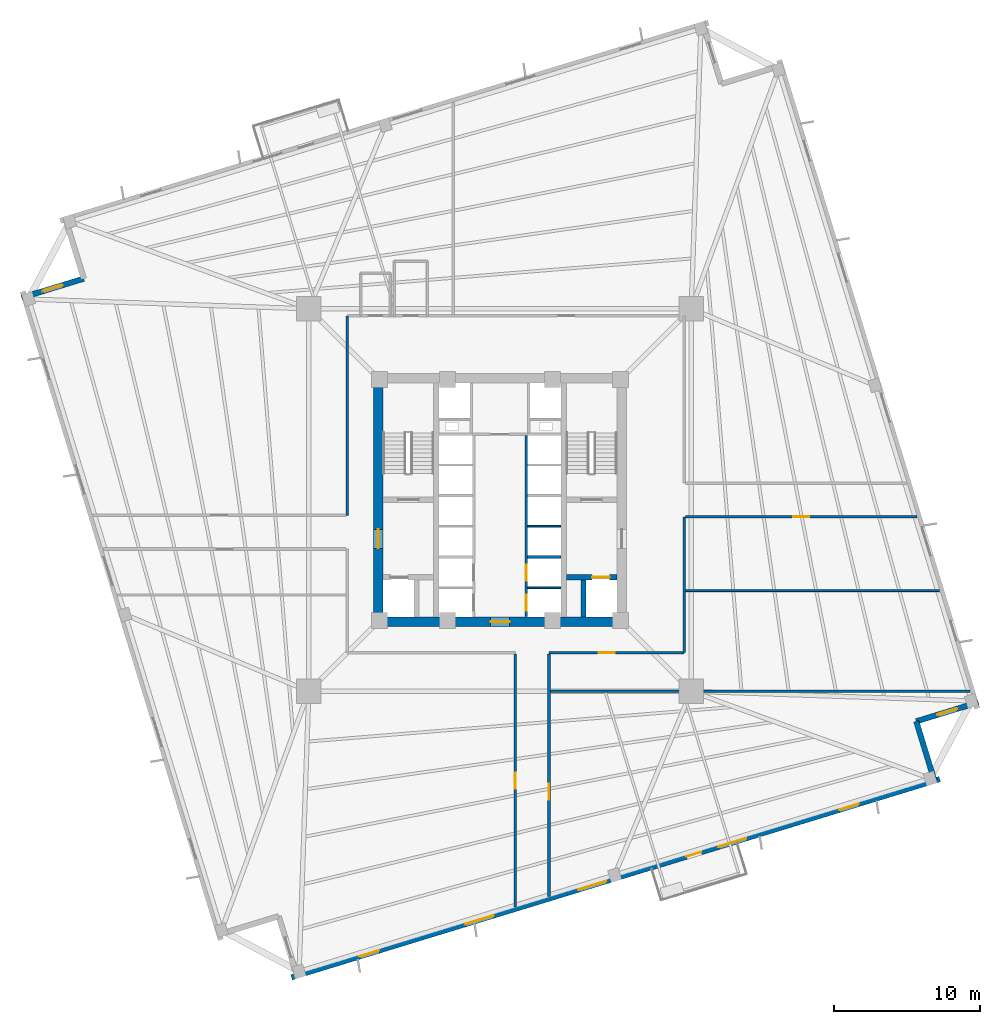
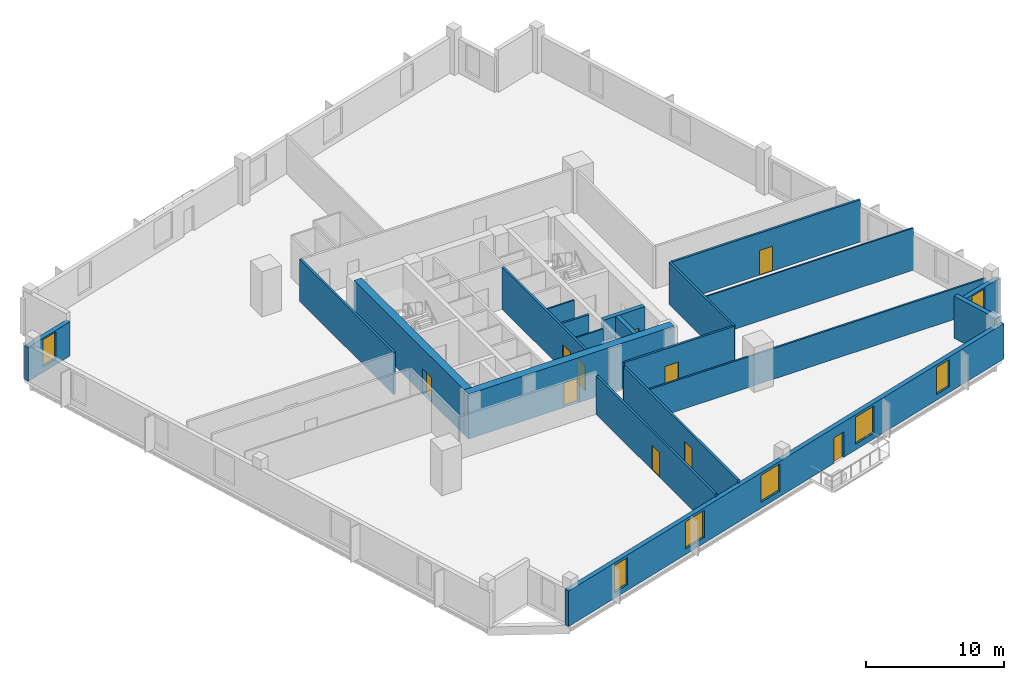
# One storey, part 3 of 8: 20 walls, 10 doors, 7 windows, 17 openings.
"""IFC4 building model written with IfcOpenShell, lengths in metres."""

from ifc_helpers import new_model, si_unit, direction, frame, frame_2d, origin, place, context, subcontext, project, spatial, rectangle, extrude, source, transform, mapped, material, layer, layer_set, type_object, element, fill, save


model = new_model("IFC4")

# Units and contexts
model_context = context("Model", 3, precision=1e-05, world=origin(), true_north=direction((0.0, 1.0)))
body_context = subcontext(model_context, "Body", "Model", "MODEL_VIEW")
ifc_project = project(units=[si_unit("LENGTHUNIT", "METRE"), si_unit("AREAUNIT", "SQUARE_METRE"), si_unit("VOLUMEUNIT", "CUBIC_METRE"), si_unit("PLANEANGLEUNIT", "RADIAN"), si_unit("MASSUNIT", "GRAM", prefix="KILO"), si_unit("THERMODYNAMICTEMPERATUREUNIT", "KELVIN")], contexts=[model_context])

# Site, building, storey
site_placement = place(None, origin())
site = spatial("IfcSite", under=ifc_project, at=site_placement, CompositionType="ELEMENT")
building_placement = place(site_placement, origin())
building = spatial("IfcBuilding", under=site, at=building_placement, Name="Kosmvard Interchange Tower", CompositionType="ELEMENT")
storey_placement = place(building_placement, frame((0.0, 0.0, 99.199951171875)))
storey = spatial("IfcBuildingStorey", under=building, at=storey_placement, Name="L23", CompositionType="ELEMENT", Elevation=99.199951171875)

# Wall
ifc_material_1 = material(Name="Acoustic gypsum partition system")
ifc_layer_1 = layer(ifc_material_1, 0.14990234375, Name="Acoustic gypsum partition system")
ifc_layer_set_1 = layer_set([ifc_layer_1], Name="Acoustic gypsum partition system")
wall_type_1 = type_object("IfcWallType", Name="Acoustic Suite & Meeting Partition 150", PredefinedType="PARTITIONING", material=ifc_layer_set_1)
wall_1_placement = place(storey_placement, frame((3.445068359375, -13.0810546875, 0.0), z_axis=(0.0, 0.0, 1.0), x_axis=(1.0, 0.0, 0.0)))
element("IfcWall", 1, at=wall_1_placement, inside=storey, type_object=wall_type_1, Name="L23 Room Partition 02.1", PredefinedType="PARTITIONING", context=body_context, shape_type="SweptSolid", body=[
    extrude(rectangle(XDim=28.719970703125, YDim=0.14990234375, at=frame_2d((14.35986328125, 0.0))), origin(), (0.0, 0.0, 1.0), 2.73193359375),
])

# Wall, openings, doors
ifc_material_2 = material(Name="Fire-rated gypsum partition system")
ifc_layer_2 = layer(ifc_material_2, 0.179931640625, Name="Fire-rated gypsum partition system")
ifc_layer_set_2 = layer_set([ifc_layer_2], Name="Fire-rated gypsum partition system")
wall_type_2 = type_object("IfcWallType", Name="Corridor & Hotel Compartment Partition 180", PredefinedType="PARTITIONING", material=ifc_layer_set_2)
wall_2_placement = place(storey_placement, frame((1.7900390625, -7.97998046875, 0.0), z_axis=(0.0, 0.0, 1.0), x_axis=(0.0, 1.0, 0.0)))
wall_2 = element("IfcWall", 2, at=wall_2_placement, inside=storey, type_object=wall_type_2, Name="L23 East Lift Bank Front Wall", PredefinedType="PARTITIONING", context=body_context, shape_type="SweptSolid", body=[
    extrude(rectangle(XDim=12.3798828125, YDim=0.179931640625, at=frame_2d((6.18994140625, 0.0))), origin(), (0.0, 0.0, 1.0), 3.739990234375),
])
opening_1_placement = place(wall_2_placement, frame((0.39990234375, 0.0, 0.0)))
opening_1 = element("IfcOpeningElement", 3, at=opening_1_placement, cuts=wall_2, Name="Opening LD-PL-L3-L23", PredefinedType="OPENING", context=body_context, shape_type="SweptSolid", body=[
    extrude(rectangle(XDim=1.10009765625, YDim=2.199951171875, at=frame_2d((0.550048828125, 1.10009765625))), frame((0.0, 0.10009765625, 0.0), z_axis=(0.0, -1.0, 0.0), x_axis=(1.0, 0.0, 0.0)), (0.0, 0.0, 1.0), 0.199951171875),
])
opening_2_placement = place(wall_2_placement, frame((2.4599609375, 0.0, 0.0)))
opening_2 = element("IfcOpeningElement", 4, at=opening_2_placement, cuts=wall_2, Name="Opening LD-PL-L4-L23", PredefinedType="OPENING", context=body_context, shape_type="SweptSolid", body=[
    extrude(rectangle(XDim=1.10009765625, YDim=2.199951171875, at=frame_2d((0.550048828125, 1.10009765625))), frame((0.0, 0.10009765625, 0.0), z_axis=(0.0, -1.0, 0.0), x_axis=(1.0, 0.0, 0.0)), (0.0, 0.0, 1.0), 0.199951171875),
])
ifc_material_3 = material(Name="Brushed stainless steel sliding leaf", Category="steel")
door_type_1 = type_object("IfcDoorType", Name="Passenger Lift Sliding Landing Door 1100x2200 EI60", OperationType="DOUBLE_DOOR_SLIDING", PredefinedType="DOOR", material=ifc_material_3)
shared_shape_1 = source(origin(), body_context, "Body", "SweptSolid", [
    extrude(rectangle(XDim=1.10009765625, YDim=2.199951171875, at=frame_2d((0.550048828125, 1.10009765625))), frame((0.0, 0.02490234375, 0.0), z_axis=(0.0, -1.0, 0.0), x_axis=(1.0, 0.0, 0.0)), (0.0, 0.0, 1.0), 0.050048828125),
])
door_1_placement = place(opening_1_placement, origin())
door_1 = element("IfcDoor", 5, at=door_1_placement, inside=storey, type_object=door_type_1, Name="Lift PL-L3 Landing Door L23", OperationType="DOUBLE_DOOR_SLIDING", OverallHeight=2.199951171875, OverallWidth=1.10009765625, PredefinedType="DOOR", context=body_context, shape_type="MappedRepresentation", body=[
    mapped(shared_shape_1, transform((0.0, 0.0, 0.0), scale=1.0)),
])
fill(opening_1, door_1)
door_2_placement = place(opening_2_placement, origin())
door_2 = element("IfcDoor", 6, at=door_2_placement, inside=storey, type_object=door_type_1, Name="Lift PL-L4 Landing Door L23", OperationType="DOUBLE_DOOR_SLIDING", OverallHeight=2.199951171875, OverallWidth=1.10009765625, PredefinedType="DOOR", context=body_context, shape_type="MappedRepresentation", body=[
    mapped(shared_shape_1, transform((0.0, 0.0, 0.0), scale=1.0)),
])
fill(opening_2, door_2)

# Wall, opening, door
wall_3_placement = place(storey_placement, frame((3.35009765625, -10.449951171875, 0.0), z_axis=(0.0, 0.0, 1.0), x_axis=(1.0, 0.0, 0.0)))
wall_3 = element("IfcWall", 7, at=wall_3_placement, inside=storey, type_object=wall_type_2, Name="L23 Corridor Wall CSE", PredefinedType="PARTITIONING", context=body_context, shape_type="SweptSolid", body=[
    extrude(rectangle(XDim=9.25, YDim=0.179931640625, at=frame_2d((4.625, 0.0))), origin(), (0.0, 0.0, 1.0), 3.739990234375),
])
opening_3_placement = place(wall_3_placement, frame((3.4150390625, 0.0, 0.0)))
opening_3 = element("IfcOpeningElement", 8, at=opening_3_placement, cuts=wall_3, Name="Opening L23-D06", PredefinedType="OPENING", context=body_context, shape_type="SweptSolid", body=[
    extrude(rectangle(XDim=1.10009765625, YDim=2.199951171875, at=frame_2d((0.550048828125, 1.10009765625))), frame((0.0, 0.10009765625, 0.0), z_axis=(0.0, -1.0, 0.0), x_axis=(1.0, 0.0, 0.0)), (0.0, 0.0, 1.0), 0.199951171875),
])
ifc_material_4 = material(Name="Engineered oak fire-rated timber", Category="wood")
door_type_2 = type_object("IfcDoorType", Name="Office Suite Entrance Door 1100x2200 FD30S", OperationType="NOTDEFINED", PredefinedType="DOOR", material=ifc_material_4)
door_3_placement = place(opening_3_placement, frame((1.10009765625, 0.0, 0.0), z_axis=(0.0, 0.0, 1.0), x_axis=(-1.0, 0.0, 0.0)))
door_3 = element("IfcDoor", 9, at=door_3_placement, inside=storey, type_object=door_type_2, Name="L23 Client Briefing Room 2 Door", OperationType="SINGLE_SWING_RIGHT", OverallHeight=2.199951171875, OverallWidth=1.10009765625, PredefinedType="DOOR", context=body_context, shape_type="MappedRepresentation", body=[
    mapped(shared_shape_1, transform((0.0, 0.0, 0.0), scale=1.0)),
])
fill(opening_3, door_3)

# Walls
wall_4_placement = place(storey_placement, frame((-10.449951171875, -1.050048828125, 0.0), z_axis=(0.0, 0.0, 1.0), x_axis=(0.0, 1.0, 0.0)))
element("IfcWall", 10, at=wall_4_placement, inside=storey, type_object=wall_type_2, Name="L23 Corridor Wall CWN", PredefinedType="PARTITIONING", context=body_context, shape_type="SweptSolid", body=[
    extrude(rectangle(XDim=13.650146484375, YDim=0.179931640625, at=frame_2d((6.8251953125, 0.0))), origin(), (0.0, 0.0, 1.0), 3.739990234375),
])
wall_5_placement = place(storey_placement, frame((12.60009765625, -10.449951171875, 0.0), z_axis=(0.0, 0.0, 1.0), x_axis=(0.0, 1.0, 0.0)))
element("IfcWall", 11, at=wall_5_placement, inside=storey, type_object=wall_type_2, Name="L23 Corridor Wall CES", PredefinedType="PARTITIONING", context=body_context, shape_type="SweptSolid", body=[
    extrude(rectangle(XDim=9.300048828125, YDim=0.179931640625, at=frame_2d((4.64990234375, 0.0))), origin(), (0.0, 0.0, 1.0), 3.739990234375),
])

# Wall, opening, door
wall_6_placement = place(storey_placement, frame((12.699951171875, -1.14990234375, 0.0), z_axis=(0.0, 0.0, 1.0), x_axis=(1.0, 0.0, 0.0)))
wall_6 = element("IfcWall", 12, at=wall_6_placement, inside=storey, type_object=wall_type_2, Name="L23 Corridor Wall SES", PredefinedType="PARTITIONING", context=body_context, shape_type="SweptSolid", body=[
    extrude(rectangle(XDim=15.8173828125, YDim=0.179931640625, at=frame_2d((7.90869140625, 0.0))), origin(), (0.0, 0.0, 1.0), 3.739990234375),
])
opening_4_placement = place(wall_6_placement, frame((7.358642578125, 0.0, 0.0)))
opening_4 = element("IfcOpeningElement", 13, at=opening_4_placement, cuts=wall_6, Name="Opening L23-D05", PredefinedType="OPENING", context=body_context, shape_type="SweptSolid", body=[
    extrude(rectangle(XDim=1.10009765625, YDim=2.199951171875, at=frame_2d((0.550048828125, 1.10009765625))), frame((0.0, 0.10009765625, 0.0), z_axis=(0.0, -1.0, 0.0), x_axis=(1.0, 0.0, 0.0)), (0.0, 0.0, 1.0), 0.199951171875),
])
door_4_placement = place(opening_4_placement, frame((1.10009765625, 0.0, 0.0), z_axis=(0.0, 0.0, 1.0), x_axis=(-1.0, 0.0, 0.0)))
door_4 = element("IfcDoor", 14, at=door_4_placement, inside=storey, type_object=door_type_2, Name="L23 Executive Tea Pantry Door", OperationType="SINGLE_SWING_LEFT", OverallHeight=2.199951171875, OverallWidth=1.10009765625, PredefinedType="DOOR", context=body_context, shape_type="MappedRepresentation", body=[
    mapped(shared_shape_1, transform((0.0, 0.0, 0.0), scale=1.0)),
])
fill(opening_4, door_4)

wall_7_placement = place(storey_placement, frame((1.050048828125, -27.8447265625, 0.0), z_axis=(0.0, 0.0, 1.0), x_axis=(0.0, 1.0, 0.0)))
wall_7 = element("IfcWall", 15, at=wall_7_placement, inside=storey, type_object=wall_type_2, Name="L23 Corridor Wall SSW", PredefinedType="PARTITIONING", context=body_context, shape_type="SweptSolid", body=[
    extrude(rectangle(XDim=17.294677734375, YDim=0.179931640625, at=frame_2d((8.6474609375, 0.0))), origin(), (0.0, 0.0, 1.0), 3.41015625),
])
opening_5_placement = place(wall_7_placement, frame((8.097412109375, 0.0, 0.0)))
opening_5 = element("IfcOpeningElement", 16, at=opening_5_placement, cuts=wall_7, Name="Opening L23-D09", PredefinedType="OPENING", context=body_context, shape_type="SweptSolid", body=[
    extrude(rectangle(XDim=1.10009765625, YDim=2.199951171875, at=frame_2d((0.550048828125, 1.10009765625))), frame((0.0, 0.10009765625, 0.0), z_axis=(0.0, -1.0, 0.0), x_axis=(1.0, 0.0, 0.0)), (0.0, 0.0, 1.0), 0.199951171875),
])
door_5_placement = place(opening_5_placement, origin())
door_5 = element("IfcDoor", 17, at=door_5_placement, inside=storey, type_object=door_type_2, Name="L23 South-West Briefing Hall 5 Door", OperationType="SINGLE_SWING_LEFT", OverallHeight=2.199951171875, OverallWidth=1.10009765625, PredefinedType="DOOR", context=body_context, shape_type="MappedRepresentation", body=[
    mapped(shared_shape_1, transform((0.0, 0.0, 0.0), scale=1.0)),
])
fill(opening_5, door_5)

wall_8_placement = place(storey_placement, frame((3.35009765625, -27.1416015625, 0.0), z_axis=(0.0, 0.0, 1.0), x_axis=(0.0, 1.0, 0.0)))
wall_8 = element("IfcWall", 18, at=wall_8_placement, inside=storey, type_object=wall_type_2, Name="L23 Corridor Wall SSE", PredefinedType="PARTITIONING", context=body_context, shape_type="SweptSolid", body=[
    extrude(rectangle(XDim=16.591552734375, YDim=0.179931640625, at=frame_2d((8.2958984375, 0.0))), origin(), (0.0, 0.0, 1.0), 3.41015625),
])
opening_6_placement = place(wall_8_placement, frame((6.644775390625, 0.0, 0.0)))
opening_6 = element("IfcOpeningElement", 19, at=opening_6_placement, cuts=wall_8, Name="Opening L23-D07", PredefinedType="OPENING", context=body_context, shape_type="SweptSolid", body=[
    extrude(rectangle(XDim=1.10009765625, YDim=2.199951171875, at=frame_2d((0.550048828125, 1.10009765625))), frame((0.0, 0.10009765625, 0.0), z_axis=(0.0, -1.0, 0.0), x_axis=(1.0, 0.0, 0.0)), (0.0, 0.0, 1.0), 0.199951171875),
])
door_6_placement = place(opening_6_placement, frame((1.10009765625, 0.0, 0.0), z_axis=(0.0, 0.0, 1.0), x_axis=(-1.0, 0.0, 0.0)))
door_6 = element("IfcDoor", 20, at=door_6_placement, inside=storey, type_object=door_type_2, Name="L23 South-East Seminar Room 3 Door", OperationType="SINGLE_SWING_LEFT", OverallHeight=2.199951171875, OverallWidth=1.10009765625, PredefinedType="DOOR", context=body_context, shape_type="MappedRepresentation", body=[
    mapped(shared_shape_1, transform((0.0, 0.0, 0.0), scale=1.0)),
])
fill(opening_6, door_6)

# Wall, openings, door, windows
ifc_material_5 = material(Name="Precast concrete C45/55", Category="concrete")
ifc_layer_3 = layer(ifc_material_5, 0.3798828125, Name="Precast concrete C45/55")
ifc_layer_set_3 = layer_set([ifc_layer_3], Name="Precast concrete C45/55")
wall_type_3 = type_object("IfcWallType", Name="Lower Tower Precast Pier Wall 380 C45/55", PredefinedType="STANDARD", material=ifc_layer_set_3)
wall_9_placement = place(storey_placement, frame((-14.26513671875, -32.65771484375, 0.0), z_axis=(0.0, 0.0, 1.0), x_axis=(0.956304320851, 0.292373127906, 0.0)))
wall_9 = element("IfcWall", 21, at=wall_9_placement, inside=storey, type_object=wall_type_3, Name="L23 Precast Facade Wall F-S", PredefinedType="STANDARD", context=body_context, shape_type="SweptSolid", body=[
    extrude(rectangle(XDim=46.380126953125, YDim=0.3798828125, at=frame_2d((23.18994140625, 0.0))), origin(), (0.0, 0.0, 1.0), 3.14013671875),
])
opening_7_placement = place(wall_9_placement, frame((28.264892578125, 0.0, 0.0)))
opening_7 = element("IfcOpeningElement", 22, at=opening_7_placement, cuts=wall_9, Name="Opening L23-BDW", PredefinedType="OPENING", context=body_context, shape_type="SweptSolid", body=[
    extrude(rectangle(XDim=1.050048828125, YDim=2.25, at=frame_2d((0.52490234375, 1.125))), frame((0.0, 0.199951171875, 0.0), z_axis=(0.0, -1.0, 0.0), x_axis=(1.0, 0.0, 0.0)), (0.0, 0.0, 1.0), 0.39990234375),
])
opening_8_placement = place(wall_9_placement, frame((4.865478515625, 0.0, 0.510009765625)))
opening_8 = element("IfcOpeningElement", 23, at=opening_8_placement, cuts=wall_9, Name="Opening L23-W01", PredefinedType="OPENING", context=body_context, shape_type="SweptSolid", body=[
    extrude(rectangle(XDim=1.39990234375, YDim=2.39990234375, at=frame_2d((0.699951171875, 1.199951171875))), frame((0.0, 0.199951171875, 0.0), z_axis=(0.0, -1.0, 0.0), x_axis=(1.0, 0.0, 0.0)), (0.0, 0.0, 1.0), 0.39990234375),
])
opening_9_placement = place(wall_9_placement, frame((12.4501953125, 0.0, 0.510009765625)))
opening_9 = element("IfcOpeningElement", 24, at=opening_9_placement, cuts=wall_9, Name="Opening L23-W02", PredefinedType="OPENING", context=body_context, shape_type="SweptSolid", body=[
    extrude(rectangle(XDim=2.0, YDim=2.39990234375, at=frame_2d((1.0, 1.199951171875))), frame((0.0, 0.199951171875, 0.0), z_axis=(0.0, -1.0, 0.0), x_axis=(1.0, 0.0, 0.0)), (0.0, 0.0, 1.0), 0.39990234375),
])
opening_10_placement = place(wall_9_placement, frame((20.512451171875, 0.0, 0.510009765625)))
opening_10 = element("IfcOpeningElement", 25, at=opening_10_placement, cuts=wall_9, Name="Opening L23-W03", PredefinedType="OPENING", context=body_context, shape_type="SweptSolid", body=[
    extrude(rectangle(XDim=2.0, YDim=2.39990234375, at=frame_2d((1.0, 1.199951171875))), frame((0.0, 0.199951171875, 0.0), z_axis=(0.0, -1.0, 0.0), x_axis=(1.0, 0.0, 0.0)), (0.0, 0.0, 1.0), 0.39990234375),
])
opening_11_placement = place(wall_9_placement, frame((30.538330078125, 0.0, 0.510009765625)))
opening_11 = element("IfcOpeningElement", 26, at=opening_11_placement, cuts=wall_9, Name="Opening L23-W04", PredefinedType="OPENING", context=body_context, shape_type="SweptSolid", body=[
    extrude(rectangle(XDim=2.0, YDim=2.39990234375, at=frame_2d((1.0, 1.199951171875))), frame((0.0, 0.199951171875, 0.0), z_axis=(0.0, -1.0, 0.0), x_axis=(1.0, 0.0, 0.0)), (0.0, 0.0, 1.0), 0.39990234375),
])
opening_12_placement = place(wall_9_placement, frame((39.186767578125, 0.0, 0.510009765625)))
opening_12 = element("IfcOpeningElement", 27, at=opening_12_placement, cuts=wall_9, Name="Opening L23-W05", PredefinedType="OPENING", context=body_context, shape_type="SweptSolid", body=[
    extrude(rectangle(XDim=1.39990234375, YDim=2.39990234375, at=frame_2d((0.699951171875, 1.199951171875))), frame((0.0, 0.199951171875, 0.0), z_axis=(0.0, -1.0, 0.0), x_axis=(1.0, 0.0, 0.0)), (0.0, 0.0, 1.0), 0.39990234375),
])
ifc_material_6 = material(Name="Anodised aluminium and safety glass", Category="aluminium")
door_type_3 = type_object("IfcDoorType", Name="Tree-Balcony Glazed Door 1050x2250", OperationType="NOTDEFINED", PredefinedType="DOOR", material=ifc_material_6)
shared_shape_2 = source(origin(), body_context, "Body", "SweptSolid", [
    extrude(rectangle(XDim=1.050048828125, YDim=2.25, at=frame_2d((0.52490234375, 1.125))), frame((0.0, 0.02490234375, 0.0), z_axis=(0.0, -1.0, 0.0), x_axis=(1.0, 0.0, 0.0)), (0.0, 0.0, 1.0), 0.050048828125),
])
door_7_placement = place(opening_7_placement, origin())
door_7 = element("IfcDoor", 28, at=door_7_placement, inside=storey, type_object=door_type_3, Name="L23 Tree-Balcony Door BAL-L23-SW", OperationType="SINGLE_SWING_RIGHT", OverallHeight=2.25, OverallWidth=1.050048828125, PredefinedType="DOOR", context=body_context, shape_type="MappedRepresentation", body=[
    mapped(shared_shape_2, transform((0.0, 0.0, 0.0), scale=1.0)),
])
fill(opening_7, door_7)
ifc_material_7 = material(Name="Low-E solar-control double glazing", Category="glass")
window_type_1 = type_object("IfcWindowType", Name="Notched Corner Feature Window 1400x2400", PartitioningType="SINGLE_PANEL", PredefinedType="WINDOW", material=ifc_material_7)
shared_shape_3 = source(origin(), body_context, "Body", "SweptSolid", [
    extrude(rectangle(XDim=1.39990234375, YDim=2.39990234375, at=frame_2d((0.699951171875, 1.199951171875))), frame((0.0, 0.030029296875, 0.0), z_axis=(0.0, -1.0, 0.0), x_axis=(1.0, 0.0, 0.0)), (0.0, 0.0, 1.0), 0.06005859375),
])
window_1_placement = place(opening_8_placement, origin())
window_1 = element("IfcWindow", 29, at=window_1_placement, inside=storey, type_object=window_type_1, Name="L23 Facade Punched Window 01", OverallHeight=2.39990234375, OverallWidth=1.39990234375, PartitioningType="SINGLE_PANEL", PredefinedType="WINDOW", context=body_context, shape_type="MappedRepresentation", body=[
    mapped(shared_shape_3, transform((0.0, 0.0, 0.0), scale=1.0)),
])
fill(opening_8, window_1)
window_2_placement = place(opening_12_placement, origin())
window_2 = element("IfcWindow", 30, at=window_2_placement, inside=storey, type_object=window_type_1, Name="L23 Facade Punched Window 05", OverallHeight=2.39990234375, OverallWidth=1.39990234375, PartitioningType="SINGLE_PANEL", PredefinedType="WINDOW", context=body_context, shape_type="MappedRepresentation", body=[
    mapped(shared_shape_3, transform((0.0, 0.0, 0.0), scale=1.0)),
])
fill(opening_12, window_2)
window_type_2 = type_object("IfcWindowType", Name="Zone 2 Office Punched Window 2000x2400", PartitioningType="SINGLE_PANEL", PredefinedType="WINDOW", material=ifc_material_7)
shared_shape_4 = source(origin(), body_context, "Body", "SweptSolid", [
    extrude(rectangle(XDim=2.0, YDim=2.39990234375, at=frame_2d((1.0, 1.199951171875))), frame((0.0, 0.030029296875, 0.0), z_axis=(0.0, -1.0, 0.0), x_axis=(1.0, 0.0, 0.0)), (0.0, 0.0, 1.0), 0.06005859375),
])
window_3_placement = place(opening_9_placement, origin())
window_3 = element("IfcWindow", 31, at=window_3_placement, inside=storey, type_object=window_type_2, Name="L23 Facade Punched Window 02", OverallHeight=2.39990234375, OverallWidth=2.0, PartitioningType="SINGLE_PANEL", PredefinedType="WINDOW", context=body_context, shape_type="MappedRepresentation", body=[
    mapped(shared_shape_4, transform((0.0, 0.0, 0.0), scale=1.0)),
])
fill(opening_9, window_3)
window_4_placement = place(opening_10_placement, origin())
window_4 = element("IfcWindow", 32, at=window_4_placement, inside=storey, type_object=window_type_2, Name="L23 Facade Punched Window 03", OverallHeight=2.39990234375, OverallWidth=2.0, PartitioningType="SINGLE_PANEL", PredefinedType="WINDOW", context=body_context, shape_type="MappedRepresentation", body=[
    mapped(shared_shape_4, transform((0.0, 0.0, 0.0), scale=1.0)),
])
fill(opening_10, window_4)
window_5_placement = place(opening_11_placement, origin())
window_5 = element("IfcWindow", 33, at=window_5_placement, inside=storey, type_object=window_type_2, Name="L23 Facade Punched Window 04", OverallHeight=2.39990234375, OverallWidth=2.0, PartitioningType="SINGLE_PANEL", PredefinedType="WINDOW", context=body_context, shape_type="MappedRepresentation", body=[
    mapped(shared_shape_4, transform((0.0, 0.0, 0.0), scale=1.0)),
])
fill(opening_11, window_5)

# Wall
wall_10_placement = place(storey_placement, frame((29.724853515625, -19.20849609375, 0.0), z_axis=(0.0, 0.0, 1.0), x_axis=(-0.292345507338, 0.956312764915, 0.0)))
element("IfcWall", 34, at=wall_10_placement, inside=storey, type_object=wall_type_3, Name="L23 Precast Facade Wall N-SE1", PredefinedType="STANDARD", context=body_context, shape_type="SweptSolid", body=[
    extrude(rectangle(XDim=4.249755859375, YDim=0.3798828125, at=frame_2d((2.125, 0.0))), origin(), (0.0, 0.0, 1.0), 3.739990234375),
])

# Wall, opening, window
wall_11_placement = place(storey_placement, frame((28.482421875, -15.144287109375, 0.0), z_axis=(0.0, 0.0, 1.0), x_axis=(0.956304176051, 0.292373601522, 0.0)))
wall_11 = element("IfcWall", 35, at=wall_11_placement, inside=storey, type_object=wall_type_3, Name="L23 Precast Facade Wall N-SE2", PredefinedType="STANDARD", context=body_context, shape_type="SweptSolid", body=[
    extrude(rectangle(XDim=4.43994140625, YDim=0.3798828125, at=frame_2d((2.219970703125, 0.0))), origin(), (0.0, 0.0, 1.0), 3.0400390625),
])
opening_13_placement = place(wall_11_placement, frame((1.52001953125, 0.0, 0.510009765625)))
opening_13 = element("IfcOpeningElement", 36, at=opening_13_placement, cuts=wall_11, Name="Opening L23-W21", PredefinedType="OPENING", context=body_context, shape_type="SweptSolid", body=[
    extrude(rectangle(XDim=1.39990234375, YDim=2.39990234375, at=frame_2d((0.699951171875, 1.199951171875))), frame((0.0, 0.199951171875, 0.0), z_axis=(0.0, -1.0, 0.0), x_axis=(1.0, 0.0, 0.0)), (0.0, 0.0, 1.0), 0.39990234375),
])
window_6_placement = place(opening_13_placement, origin())
window_6 = element("IfcWindow", 37, at=window_6_placement, inside=storey, type_object=window_type_1, Name="L23 Corner Notch Window 21", OverallHeight=2.39990234375, OverallWidth=1.39990234375, PartitioningType="SINGLE_PANEL", PredefinedType="WINDOW", context=body_context, shape_type="MappedRepresentation", body=[
    mapped(shared_shape_3, transform((0.0, 0.0, 0.0), scale=1.0)),
])
fill(opening_13, window_6)

wall_12_placement = place(storey_placement, frame((-28.482421875, 15.144287109375, 0.0), z_axis=(0.0, 0.0, 1.0), x_axis=(-0.956304176051, -0.292373601522, 0.0)))
wall_12 = element("IfcWall", 38, at=wall_12_placement, inside=storey, type_object=wall_type_3, Name="L23 Precast Facade Wall N-NW2", PredefinedType="STANDARD", context=body_context, shape_type="SweptSolid", body=[
    extrude(rectangle(XDim=4.43994140625, YDim=0.3798828125, at=frame_2d((2.219970703125, 0.0))), origin(), (0.0, 0.0, 1.0), 3.0400390625),
])
opening_14_placement = place(wall_12_placement, frame((1.52001953125, 0.0, 0.510009765625)))
opening_14 = element("IfcOpeningElement", 39, at=opening_14_placement, cuts=wall_12, Name="Opening L23-W23", PredefinedType="OPENING", context=body_context, shape_type="SweptSolid", body=[
    extrude(rectangle(XDim=1.39990234375, YDim=2.39990234375, at=frame_2d((0.699951171875, 1.199951171875))), frame((0.0, 0.199951171875, 0.0), z_axis=(0.0, -1.0, 0.0), x_axis=(1.0, 0.0, 0.0)), (0.0, 0.0, 1.0), 0.39990234375),
])
window_7_placement = place(opening_14_placement, origin())
window_7 = element("IfcWindow", 40, at=window_7_placement, inside=storey, type_object=window_type_1, Name="L23 Corner Notch Window 23", OverallHeight=2.39990234375, OverallWidth=1.39990234375, PartitioningType="SINGLE_PANEL", PredefinedType="WINDOW", context=body_context, shape_type="MappedRepresentation", body=[
    mapped(shared_shape_3, transform((0.0, 0.0, 0.0), scale=1.0)),
])
fill(opening_14, window_7)

# Wall, opening, door
ifc_material_8 = material(Name="Concrete C70/85", Category="concrete")
ifc_layer_4 = layer(ifc_material_8, 0.64990234375, Name="Concrete C70/85")
ifc_layer_set_4 = layer_set([ifc_layer_4], Name="Concrete C70/85")
wall_type_4 = type_object("IfcWallType", Name="Mid Core Shear Wall 650 C70/85", PredefinedType="SHEAR", material=ifc_layer_set_4)
wall_13_placement = place(storey_placement, frame((-8.64990234375, -8.324951171875, 0.0), z_axis=(0.0, 0.0, 1.0), x_axis=(1.0, 0.0, 0.0)))
wall_13 = element("IfcWall", 41, at=wall_13_placement, inside=storey, type_object=wall_type_4, Name="L23 Core Shear Wall CW-S", PredefinedType="SHEAR", context=body_context, shape_type="SweptSolid", body=[
    extrude(rectangle(XDim=17.2998046875, YDim=0.64990234375, at=frame_2d((8.64990234375, 0.0))), origin(), (0.0, 0.0, 1.0), 4.0),
])
opening_15_placement = place(wall_13_placement, frame((8.0, 0.0, 0.0)))
opening_15 = element("IfcOpeningElement", 42, at=opening_15_placement, cuts=wall_13, Name="Opening L23-LD0", PredefinedType="OPENING", context=body_context, shape_type="SweptSolid", body=[
    extrude(rectangle(XDim=1.300048828125, YDim=2.199951171875, at=frame_2d((0.64990234375, 1.10009765625))), frame((0.0, 0.3349609375, 0.0), z_axis=(0.0, -1.0, 0.0), x_axis=(1.0, 0.0, 0.0)), (0.0, 0.0, 1.0), 0.669921875),
])
ifc_material_9 = material(Name="Painted fire-rated steel leaf", Category="steel")
door_type_4 = type_object("IfcDoorType", Name="Firefighting Lobby Door 1300x2200 EI60", OperationType="NOTDEFINED", PredefinedType="DOOR", material=ifc_material_9)
shared_shape_5 = source(origin(), body_context, "Body", "SweptSolid", [
    extrude(rectangle(XDim=1.300048828125, YDim=2.199951171875, at=frame_2d((0.64990234375, 1.10009765625))), frame((0.0, 0.02490234375, 0.0), z_axis=(0.0, -1.0, 0.0), x_axis=(1.0, 0.0, 0.0)), (0.0, 0.0, 1.0), 0.050048828125),
])
door_8_placement = place(opening_15_placement, frame((1.300048828125, 0.0, 0.0), z_axis=(0.0, 0.0, 1.0), x_axis=(-1.0, 0.0, 0.0)))
door_8 = element("IfcDoor", 43, at=door_8_placement, inside=storey, type_object=door_type_4, Name="L23 Passenger Lift Lobby South Door", OperationType="SINGLE_SWING_RIGHT", OverallHeight=2.199951171875, OverallWidth=1.300048828125, PredefinedType="DOOR", context=body_context, shape_type="MappedRepresentation", body=[
    mapped(shared_shape_5, transform((0.0, 0.0, 0.0), scale=1.0)),
])
fill(opening_15, door_8)

wall_14_placement = place(storey_placement, frame((-8.324951171875, -8.0, 0.0), z_axis=(0.0, 0.0, 1.0), x_axis=(0.0, 1.0, 0.0)))
wall_14 = element("IfcWall", 44, at=wall_14_placement, inside=storey, type_object=wall_type_4, Name="L23 Core Shear Wall CW-W", PredefinedType="SHEAR", context=body_context, shape_type="SweptSolid", body=[
    extrude(rectangle(XDim=16.0, YDim=0.64990234375, at=frame_2d((8.0, 0.0))), origin(), (0.0, 0.0, 1.0), 4.0),
])
opening_16_placement = place(wall_14_placement, frame((4.68994140625, 0.0, 0.0)))
opening_16 = element("IfcOpeningElement", 45, at=opening_16_placement, cuts=wall_14, Name="Opening L23-FD1", PredefinedType="OPENING", context=body_context, shape_type="SweptSolid", body=[
    extrude(rectangle(XDim=1.300048828125, YDim=2.199951171875, at=frame_2d((0.64990234375, 1.10009765625))), frame((0.0, 0.3349609375, 0.0), z_axis=(0.0, -1.0, 0.0), x_axis=(1.0, 0.0, 0.0)), (0.0, 0.0, 1.0), 0.669921875),
])
door_9_placement = place(opening_16_placement, frame((1.300048828125, 0.0, 0.0), z_axis=(0.0, 0.0, 1.0), x_axis=(-1.0, 0.0, 0.0)))
door_9 = element("IfcDoor", 46, at=door_9_placement, inside=storey, type_object=door_type_4, Name="L23 Firefighting Lobby West Door", OperationType="SINGLE_SWING_LEFT", OverallHeight=2.199951171875, OverallWidth=1.300048828125, PredefinedType="DOOR", context=body_context, shape_type="MappedRepresentation", body=[
    mapped(shared_shape_5, transform((0.0, 0.0, 0.0), scale=1.0)),
])
fill(opening_16, door_9)

# Walls
ifc_material_10 = material(Name="Gypsum board partition system")
ifc_layer_5 = layer(ifc_material_10, 0.1201171875, Name="Gypsum board partition system")
ifc_layer_set_5 = layer_set([ifc_layer_5], Name="Gypsum board partition system")
wall_type_5 = type_object("IfcWallType", Name="Office Cellular Partition 120", PredefinedType="PARTITIONING", material=ifc_layer_set_5)
wall_15_placement = place(storey_placement, frame((12.695068359375, -6.199951171875, 0.0), z_axis=(0.0, 0.0, 1.0), x_axis=(1.0, 0.0, 0.0)))
element("IfcWall", 47, at=wall_15_placement, inside=storey, type_object=wall_type_5, Name="L23 Room Partition 03.1", PredefinedType="PARTITIONING", context=body_context, shape_type="SweptSolid", body=[
    extrude(rectangle(XDim=17.3662109375, YDim=0.1201171875, at=frame_2d((8.68310546875, 0.0))), origin(), (0.0, 0.0, 1.0), 3.739990234375),
])
ifc_material_11 = material(Name="Concrete blockwork masonry", Category="masonry")
ifc_layer_6 = layer(ifc_material_11, 0.179931640625, Name="Concrete blockwork masonry")
ifc_layer_set_6 = layer_set([ifc_layer_6], Name="Concrete blockwork masonry")
wall_type_6 = type_object("IfcWallType", Name="Riser & Lift Bank Divider Wall 180", PredefinedType="PARTITIONING", material=ifc_layer_set_6)
wall_16_placement = place(storey_placement, frame((1.889892578125, -3.89990234375, 0.0), z_axis=(0.0, 0.0, 1.0), x_axis=(1.0, 0.0, 0.0)))
element("IfcWall", 48, at=wall_16_placement, inside=storey, type_object=wall_type_6, Name="L23 East Bank Divider BD1", PredefinedType="PARTITIONING", context=body_context, shape_type="SweptSolid", body=[
    extrude(rectangle(XDim=2.280029296875, YDim=0.179931640625, at=frame_2d((1.14013671875, 0.0))), origin(), (0.0, 0.0, 1.0), 3.739990234375),
])
ifc_material_12 = material(Name="Fire-rated gypsum shaftwall system")
ifc_layer_7 = layer(ifc_material_12, 0.1201171875, Name="Fire-rated gypsum shaftwall system")
ifc_layer_set_7 = layer_set([ifc_layer_7], Name="Fire-rated gypsum shaftwall system")
wall_type_7 = type_object("IfcWallType", Name="Shaft & Riser Fire Partition 120 EI60", PredefinedType="PARTITIONING", material=ifc_layer_set_7)
for number, where, z_axis, x_axis, name in (
    (49, (1.89990234375, -6.0, 0.0), (0.0, 0.0, 1.0), (1.0, 0.0, 0.0), "L23 Shaft Divider PL-L3"),
    (50, (1.89990234375, -1.800048828125, 0.0), (0.0, 0.0, 1.0), (1.0, 0.0, 0.0), "L23 Shaft Divider PL-M3"),
):
    element("IfcWall", number, at=place(storey_placement, frame(where, z_axis=z_axis, x_axis=x_axis)), inside=storey, type_object=wall_type_7, Name=name, PredefinedType="PARTITIONING", context=body_context, shape_type="SweptSolid", body=[
        extrude(rectangle(XDim=2.260009765625, YDim=0.1201171875, at=frame_2d((1.1298828125, 0.0))), origin(), (0.0, 0.0, 1.0), 3.739990234375),
    ])

# Wall, opening, door
ifc_material_13 = material(Name="Concrete C60/75", Category="concrete")
ifc_layer_8 = layer(ifc_material_13, 0.360107421875, Name="Concrete C60/75")
ifc_layer_set_8 = layer_set([ifc_layer_8], Name="Concrete C60/75")
wall_type_8 = type_object("IfcWallType", Name="Stair & Lift Shaft Shear Wall 360 C60/75", PredefinedType="SHEAR", material=ifc_layer_set_8)
wall_17_placement = place(storey_placement, frame((4.5400390625, -5.280029296875, 0.0), z_axis=(0.0, 0.0, 1.0), x_axis=(1.0, 0.0, 0.0)))
wall_17 = element("IfcWall", 51, at=wall_17_placement, inside=storey, type_object=wall_type_8, Name="L23 Shaft Shear Wall SW-FF2", PredefinedType="SHEAR", context=body_context, shape_type="SweptSolid", body=[
    extrude(rectangle(XDim=3.4599609375, YDim=0.360107421875, at=frame_2d((1.72998046875, 0.0))), origin(), (0.0, 0.0, 1.0), 4.0),
])
opening_17_placement = place(wall_17_placement, frame((1.760009765625, 0.0, 0.0)))
opening_17 = element("IfcOpeningElement", 52, at=opening_17_placement, cuts=wall_17, Name="Opening LD-FF-2-L23", PredefinedType="OPENING", context=body_context, shape_type="SweptSolid", body=[
    extrude(rectangle(XDim=1.199951171875, YDim=2.25, at=frame_2d((0.60009765625, 1.125))), frame((0.0, 0.18994140625, 0.0), z_axis=(0.0, -1.0, 0.0), x_axis=(1.0, 0.0, 0.0)), (0.0, 0.0, 1.0), 0.380126953125),
])
door_type_5 = type_object("IfcDoorType", Name="Firefighting Lift Sliding Landing Door 1200x2250 EI120", OperationType="DOUBLE_DOOR_SLIDING", PredefinedType="DOOR", material=ifc_material_3)
shared_shape_6 = source(origin(), body_context, "Body", "SweptSolid", [
    extrude(rectangle(XDim=1.199951171875, YDim=2.25, at=frame_2d((0.60009765625, 1.125))), frame((0.0, 0.02490234375, 0.0), z_axis=(0.0, -1.0, 0.0), x_axis=(1.0, 0.0, 0.0)), (0.0, 0.0, 1.0), 0.050048828125),
])
door_10_placement = place(opening_17_placement, origin())
door_10 = element("IfcDoor", 53, at=door_10_placement, inside=storey, type_object=door_type_5, Name="Lift FF-2 Landing Door L23", OperationType="DOUBLE_DOOR_SLIDING", OverallHeight=2.25, OverallWidth=1.199951171875, PredefinedType="DOOR", context=body_context, shape_type="MappedRepresentation", body=[
    mapped(shared_shape_6, transform((0.0, 0.0, 0.0), scale=1.0)),
])
fill(opening_17, door_10)

# Wall
wall_18_placement = place(storey_placement, frame((5.7099609375, -8.0, 0.0), z_axis=(0.0, 0.0, 1.0), x_axis=(0.0, 1.0, 0.0)))
element("IfcWall", 54, at=wall_18_placement, inside=storey, type_object=wall_type_8, Name="L23 Shaft Shear Wall SW-SM2", PredefinedType="SHEAR", context=body_context, shape_type="SweptSolid", body=[
    extrude(rectangle(XDim=2.5400390625, YDim=0.360107421875, at=frame_2d((1.27001953125, 0.0))), origin(), (0.0, 0.0, 1.0), 4.0),
])

save(model, "model.ifc")
